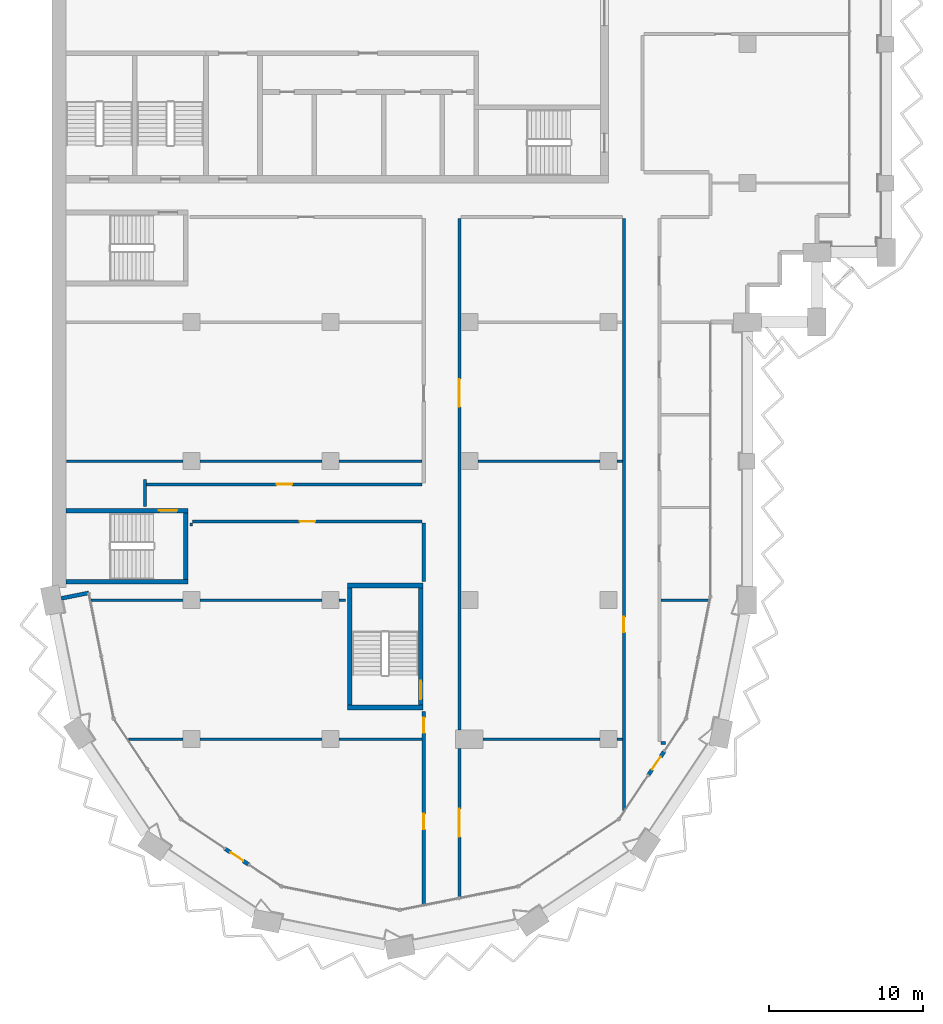
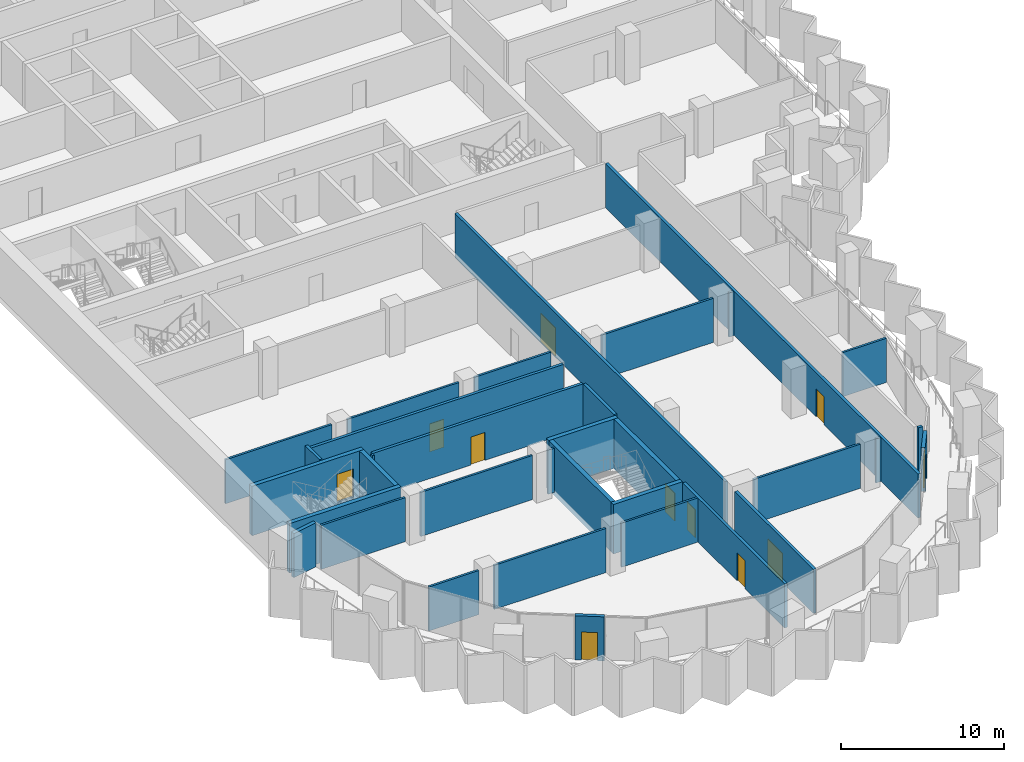
# One storey, part 7 of 17: 34 walls, 11 doors, 11 openings.
"""IFC4 building model written with IfcOpenShell, lengths in metres."""

from ifc_helpers import new_model, si_unit, direction, frame, frame_2d, origin, place, context, subcontext, project, spatial, rectangle, extrude, material, layer, layer_set, type_object, element, fill, save


model = new_model("IFC4")

# Units and contexts
model_context = context("Model", 3, precision=1e-05, world=origin(), true_north=direction((0.0, 1.0)))
body_context = subcontext(model_context, "Body", "Model", "MODEL_VIEW")
ifc_project = project(units=[si_unit("LENGTHUNIT", "METRE"), si_unit("AREAUNIT", "SQUARE_METRE"), si_unit("VOLUMEUNIT", "CUBIC_METRE"), si_unit("PLANEANGLEUNIT", "RADIAN"), si_unit("MASSUNIT", "GRAM", prefix="KILO")], contexts=[model_context])

# Site, building, storey
site_placement = place(None, origin())
site = spatial("IfcSite", under=ifc_project, at=site_placement, CompositionType="ELEMENT")
building_placement = place(site_placement, origin())
building = spatial("IfcBuilding", under=site, at=building_placement, Name="Hunhe Ridgeline Campus", CompositionType="ELEMENT")
storey_placement = place(building_placement, frame((0.0, 0.0, 197.60009765625)))
storey = spatial("IfcBuildingStorey", under=building, at=storey_placement, Name="L50", CompositionType="ELEMENT", Elevation=197.60009765625)

# Walls
ifc_material_1 = material(Name="Concrete C30", Category="concrete")
ifc_layer_1 = layer(ifc_material_1, 0.25)
ifc_layer_set_1 = layer_set([ifc_layer_1], Name="Corner return wall 250 Concrete C30")
wall_type_1 = type_object("IfcWallType", Name="Corner return wall 250 Concrete C30", PredefinedType="SOLIDWALL", material=ifc_layer_set_1)
wall_1_placement = place(storey_placement, frame((0.58837890625, 36.117919921875, 0.0), z_axis=(0.0, 0.0, 1.0), x_axis=(0.980840518545, 0.194812415363, 0.0)))
element("IfcWall", 1, at=wall_1_placement, inside=storey, type_object=wall_type_1, Name="Corner return wall 1", PredefinedType="SOLIDWALL", context=body_context, shape_type="SweptSolid", body=[
    extrude(rectangle(XDim=1.80078125, YDim=0.25, at=frame_2d((0.900390625, 0.0))), origin(), (0.0, 0.0, 1.0), 3.2998046875),
])
ifc_material_2 = material(Name="Gypsum board partition")
ifc_layer_2 = layer(ifc_material_2, 0.199951171875)
ifc_layer_set_2 = layer_set([ifc_layer_2], Name="Corridor partition 200 gypsum board on steel studs")
wall_type_2 = type_object("IfcWallType", Name="Corridor partition 200 gypsum board on steel studs", PredefinedType="PARTITIONING", material=ifc_layer_set_2)
wall_2_placement = place(storey_placement, frame((39.39990234375, 26.748046875, 0.0), z_axis=(0.0, 0.0, 1.0), x_axis=(1.0, 0.0, 0.0)))
element("IfcWall", 2, at=wall_2_placement, inside=storey, type_object=wall_type_2, Name="F-L50-wall-001", PredefinedType="PARTITIONING", context=body_context, shape_type="SweptSolid", body=[
    extrude(rectangle(XDim=0.30224609375, YDim=0.199951171875, at=frame_2d((0.151123046875, 0.0))), origin(), (0.0, 0.0, 1.0), 3.2998046875),
])

# Wall, opening, door
wall_3_placement = place(storey_placement, frame((23.949951171875, 41.10009765625, 0.0), z_axis=(0.0, 0.0, 1.0), x_axis=(-1.0, 0.0, 0.0)))
wall_3 = element("IfcWall", 3, at=wall_3_placement, inside=storey, type_object=wall_type_2, Name="F-L50-wall-011", PredefinedType="PARTITIONING", context=body_context, shape_type="SweptSolid", body=[
    extrude(rectangle(XDim=14.875, YDim=0.199951171875, at=frame_2d((7.4375, 0.0))), origin(), (0.0, 0.0, 1.0), 3.2998046875),
])
opening_1_placement = place(wall_3_placement, frame((6.9375, 0.0, 0.0)))
opening_1 = element("IfcOpeningElement", 4, at=opening_1_placement, cuts=wall_3, Name="Opening RD1-007", PredefinedType="OPENING", context=body_context, shape_type="SweptSolid", body=[
    extrude(rectangle(XDim=1.0, YDim=2.10009765625, at=frame_2d((0.5, 1.050048828125))), frame((0.0, 0.10009765625, 0.0), z_axis=(0.0, -1.0, 0.0), x_axis=(1.0, 0.0, 0.0)), (0.0, 0.0, 1.0), 0.199951171875),
])
ifc_material_3 = material(Name="Timber door leaf", Category="wood")
door_type_1 = type_object("IfcDoorType", Name="Single fire door 1000x2100 timber FD60", OperationType="NOTDEFINED", PredefinedType="DOOR", material=ifc_material_3)
door_1_placement = place(opening_1_placement, origin())
door_1 = element("IfcDoor", 5, at=door_1_placement, inside=storey, type_object=door_type_1, Name="F-L50-door-007", OperationType="SINGLE_SWING_LEFT", OverallHeight=2.10009765625, OverallWidth=1.0, PredefinedType="DOOR", context=body_context, shape_type="SweptSolid", body=[
    extrude(rectangle(XDim=1.0, YDim=2.10009765625, at=frame_2d((0.5, 1.050048828125))), frame((0.0, 0.02490234375, 0.0), z_axis=(0.0, -1.0, 0.0), x_axis=(1.0, 0.0, 0.0)), (0.0, 0.0, 1.0), 0.050048828125),
])
fill(opening_1, door_1)

wall_4_placement = place(storey_placement, frame((6.10009765625, 43.5, 0.0), z_axis=(0.0, 0.0, 1.0), x_axis=(1.0, 0.0, 0.0)))
wall_4 = element("IfcWall", 6, at=wall_4_placement, inside=storey, type_object=wall_type_2, Name="F-L50-wall-013", PredefinedType="PARTITIONING", context=body_context, shape_type="SweptSolid", body=[
    extrude(rectangle(XDim=17.849853515625, YDim=0.199951171875, at=frame_2d((8.9248046875, 0.0))), origin(), (0.0, 0.0, 1.0), 3.2998046875),
])
opening_2_placement = place(wall_4_placement, frame((8.425048828125, 0.0, 0.0)))
opening_2 = element("IfcOpeningElement", 7, at=opening_2_placement, cuts=wall_4, Name="Opening RD1-008", PredefinedType="OPENING", context=body_context, shape_type="SweptSolid", body=[
    extrude(rectangle(XDim=1.0, YDim=2.10009765625, at=frame_2d((0.5, 1.050048828125))), frame((0.0, 0.10009765625, 0.0), z_axis=(0.0, -1.0, 0.0), x_axis=(1.0, 0.0, 0.0)), (0.0, 0.0, 1.0), 0.199951171875),
])
door_2_placement = place(opening_2_placement, origin())
door_2 = element("IfcDoor", 8, at=door_2_placement, inside=storey, type_object=door_type_1, Name="F-L50-door-008", OperationType="SINGLE_SWING_LEFT", OverallHeight=2.10009765625, OverallWidth=1.0, PredefinedType="DOOR", context=body_context, shape_type="SweptSolid", body=[
    extrude(rectangle(XDim=1.0, YDim=2.10009765625, at=frame_2d((0.5, 1.050048828125))), frame((0.0, 0.02490234375, 0.0), z_axis=(0.0, -1.0, 0.0), x_axis=(1.0, 0.0, 0.0)), (0.0, 0.0, 1.0), 0.050048828125),
])
fill(opening_2, door_2)

# Wall
wall_5_placement = place(storey_placement, frame((6.0, 42.053955078125, 0.0), z_axis=(0.0, 0.0, 1.0), x_axis=(0.0, 1.0, 0.0)))
element("IfcWall", 9, at=wall_5_placement, inside=storey, type_object=wall_type_2, Name="F-L50-wall-036", PredefinedType="PARTITIONING", context=body_context, shape_type="SweptSolid", body=[
    extrude(rectangle(XDim=1.74609375, YDim=0.199951171875, at=frame_2d((0.873046875, 0.0))), origin(), (0.0, 0.0, 1.0), 3.2998046875),
])

# Wall, openings, doors
wall_6_placement = place(storey_placement, frame((24.050048828125, 16.3115234375, 0.0), z_axis=(0.0, 0.0, 1.0), x_axis=(0.0, 1.0, 0.0)))
wall_6 = element("IfcWall", 10, at=wall_6_placement, inside=storey, type_object=wall_type_2, Name="F-L50-wall-038", PredefinedType="PARTITIONING", context=body_context, shape_type="SweptSolid", body=[
    extrude(rectangle(XDim=12.484375, YDim=0.199951171875, at=frame_2d((6.2421875, 0.0))), origin(), (0.0, 0.0, 1.0), 3.2998046875),
])
opening_3_placement = place(wall_6_placement, frame((4.8505859375, 0.0, 0.0)))
opening_3 = element("IfcOpeningElement", 11, at=opening_3_placement, cuts=wall_6, Name="Opening RD1-002", PredefinedType="OPENING", context=body_context, shape_type="SweptSolid", body=[
    extrude(rectangle(XDim=1.0, YDim=2.10009765625, at=frame_2d((0.5, 1.050048828125))), frame((0.0, 0.10009765625, 0.0), z_axis=(0.0, -1.0, 0.0), x_axis=(1.0, 0.0, 0.0)), (0.0, 0.0, 1.0), 0.199951171875),
])
opening_4_placement = place(wall_6_placement, frame((11.0927734375, 0.0, 0.0)))
opening_4 = element("IfcOpeningElement", 12, at=opening_4_placement, cuts=wall_6, Name="Opening RD1-003", PredefinedType="OPENING", context=body_context, shape_type="SweptSolid", body=[
    extrude(rectangle(XDim=1.0, YDim=2.10009765625, at=frame_2d((0.5, 1.050048828125))), frame((0.0, 0.10009765625, 0.0), z_axis=(0.0, -1.0, 0.0), x_axis=(1.0, 0.0, 0.0)), (0.0, 0.0, 1.0), 0.199951171875),
])
door_3_placement = place(opening_3_placement, origin())
door_3 = element("IfcDoor", 13, at=door_3_placement, inside=storey, type_object=door_type_1, Name="F-L50-door-002", OperationType="SINGLE_SWING_RIGHT", OverallHeight=2.10009765625, OverallWidth=1.0, PredefinedType="DOOR", context=body_context, shape_type="SweptSolid", body=[
    extrude(rectangle(XDim=1.0, YDim=2.10009765625, at=frame_2d((0.5, 1.050048828125))), frame((0.0, 0.02490234375, 0.0), z_axis=(0.0, -1.0, 0.0), x_axis=(1.0, 0.0, 0.0)), (0.0, 0.0, 1.0), 0.050048828125),
])
fill(opening_3, door_3)
door_4_placement = place(opening_4_placement, origin())
door_4 = element("IfcDoor", 14, at=door_4_placement, inside=storey, type_object=door_type_1, Name="F-L50-door-003", OperationType="SINGLE_SWING_RIGHT", OverallHeight=2.10009765625, OverallWidth=1.0, PredefinedType="DOOR", context=body_context, shape_type="SweptSolid", body=[
    extrude(rectangle(XDim=1.0, YDim=2.10009765625, at=frame_2d((0.5, 1.050048828125))), frame((0.0, 0.02490234375, 0.0), z_axis=(0.0, -1.0, 0.0), x_axis=(1.0, 0.0, 0.0)), (0.0, 0.0, 1.0), 0.050048828125),
])
fill(opening_4, door_4)

# Wall
wall_7_placement = place(storey_placement, frame((24.050048828125, 37.2041015625, 0.0), z_axis=(0.0, 0.0, 1.0), x_axis=(0.0, 1.0, 0.0)))
element("IfcWall", 15, at=wall_7_placement, inside=storey, type_object=wall_type_2, Name="F-L50-wall-039", PredefinedType="PARTITIONING", context=body_context, shape_type="SweptSolid", body=[
    extrude(rectangle(XDim=3.7958984375, YDim=0.199951171875, at=frame_2d((1.89794921875, 0.0))), origin(), (0.0, 0.0, 1.0), 3.2998046875),
])

# Wall, opening, door
wall_8_placement = place(storey_placement, frame((26.35009765625, 26.39990234375, 0.0), z_axis=(0.0, 0.0, 1.0), x_axis=(0.0, -1.0, 0.0)))
wall_8 = element("IfcWall", 16, at=wall_8_placement, inside=storey, type_object=wall_type_2, Name="F-L50-wall-041", PredefinedType="PARTITIONING", context=body_context, shape_type="SweptSolid", body=[
    extrude(rectangle(XDim=9.631103515625, YDim=0.199951171875, at=frame_2d((4.8154296875, 0.0))), origin(), (0.0, 0.0, 1.0), 3.2998046875),
])
opening_5_placement = place(wall_8_placement, frame((3.91552734375, 0.0, 0.0)))
opening_5 = element("IfcOpeningElement", 17, at=opening_5_placement, cuts=wall_8, Name="Opening RD2-001", PredefinedType="OPENING", context=body_context, shape_type="SweptSolid", body=[
    extrude(rectangle(XDim=1.800048828125, YDim=2.10009765625, at=frame_2d((0.89990234375, 1.050048828125))), frame((0.0, 0.10009765625, 0.0), z_axis=(0.0, -1.0, 0.0), x_axis=(1.0, 0.0, 0.0)), (0.0, 0.0, 1.0), 0.199951171875),
])
door_type_2 = type_object("IfcDoorType", Name="Double fire door 1800x2100 timber FD60", OperationType="DOUBLE_DOOR_SINGLE_SWING", PredefinedType="DOOR", material=ifc_material_3)
door_5_placement = place(opening_5_placement, origin())
door_5 = element("IfcDoor", 18, at=door_5_placement, inside=storey, type_object=door_type_2, Name="F-L50-door-001", OperationType="DOUBLE_DOOR_SINGLE_SWING", OverallHeight=2.10009765625, OverallWidth=1.800048828125, PredefinedType="DOOR", context=body_context, shape_type="SweptSolid", body=[
    extrude(rectangle(XDim=1.800048828125, YDim=2.10009765625, at=frame_2d((0.89990234375, 1.050048828125))), frame((0.0, 0.02490234375, 0.0), z_axis=(0.0, -1.0, 0.0), x_axis=(1.0, 0.0, 0.0)), (0.0, 0.0, 1.0), 0.050048828125),
])
fill(opening_5, door_5)

wall_9_placement = place(storey_placement, frame((26.35009765625, 60.699951171875, 0.0), z_axis=(0.0, 0.0, 1.0), x_axis=(0.0, -1.0, 0.0)))
wall_9 = element("IfcWall", 19, at=wall_9_placement, inside=storey, type_object=wall_type_2, Name="F-L50-wall-042", PredefinedType="PARTITIONING", context=body_context, shape_type="SweptSolid", body=[
    extrude(rectangle(XDim=33.099853515625, YDim=0.199951171875, at=frame_2d((16.5498046875, 0.0))), origin(), (0.0, 0.0, 1.0), 3.2998046875),
])
opening_6_placement = place(wall_9_placement, frame((10.384033203125, 0.0, 0.0)))
opening_6 = element("IfcOpeningElement", 20, at=opening_6_placement, cuts=wall_9, Name="Opening RD2-011", PredefinedType="OPENING", context=body_context, shape_type="SweptSolid", body=[
    extrude(rectangle(XDim=1.800048828125, YDim=2.10009765625, at=frame_2d((0.89990234375, 1.050048828125))), frame((0.0, 0.10009765625, 0.0), z_axis=(0.0, -1.0, 0.0), x_axis=(1.0, 0.0, 0.0)), (0.0, 0.0, 1.0), 0.199951171875),
])
door_6_placement = place(opening_6_placement, origin())
door_6 = element("IfcDoor", 21, at=door_6_placement, inside=storey, type_object=door_type_2, Name="F-L50-door-011", OperationType="DOUBLE_DOOR_SINGLE_SWING", OverallHeight=2.10009765625, OverallWidth=1.800048828125, PredefinedType="DOOR", context=body_context, shape_type="SweptSolid", body=[
    extrude(rectangle(XDim=1.800048828125, YDim=2.10009765625, at=frame_2d((0.89990234375, 1.050048828125))), frame((0.0, 0.02490234375, 0.0), z_axis=(0.0, -1.0, 0.0), x_axis=(1.0, 0.0, 0.0)), (0.0, 0.0, 1.0), 0.050048828125),
])
fill(opening_6, door_6)

wall_10_placement = place(storey_placement, frame((37.0, 22.39892578125, 0.0), z_axis=(0.0, 0.0, 1.0), x_axis=(0.0, 1.0, 0.0)))
wall_10 = element("IfcWall", 22, at=wall_10_placement, inside=storey, type_object=wall_type_2, Name="F-L50-wall-043", PredefinedType="PARTITIONING", context=body_context, shape_type="SweptSolid", body=[
    extrude(rectangle(XDim=38.301025390625, YDim=0.199951171875, at=frame_2d((19.150390625, 0.0))), origin(), (0.0, 0.0, 1.0), 3.2998046875),
])
opening_7_placement = place(wall_10_placement, frame((11.51806640625, 0.0, 0.0)))
opening_7 = element("IfcOpeningElement", 23, at=opening_7_placement, cuts=wall_10, Name="Opening RD1-005", PredefinedType="OPENING", context=body_context, shape_type="SweptSolid", body=[
    extrude(rectangle(XDim=1.0, YDim=2.10009765625, at=frame_2d((0.5, 1.050048828125))), frame((0.0, 0.10009765625, 0.0), z_axis=(0.0, -1.0, 0.0), x_axis=(1.0, 0.0, 0.0)), (0.0, 0.0, 1.0), 0.199951171875),
])
door_7_placement = place(opening_7_placement, origin())
door_7 = element("IfcDoor", 24, at=door_7_placement, inside=storey, type_object=door_type_1, Name="F-L50-door-005", OperationType="SINGLE_SWING_LEFT", OverallHeight=2.10009765625, OverallWidth=1.0, PredefinedType="DOOR", context=body_context, shape_type="SweptSolid", body=[
    extrude(rectangle(XDim=1.0, YDim=2.10009765625, at=frame_2d((0.5, 1.050048828125))), frame((0.0, 0.02490234375, 0.0), z_axis=(0.0, -1.0, 0.0), x_axis=(1.0, 0.0, 0.0)), (0.0, 0.0, 1.0), 0.050048828125),
])
fill(opening_7, door_7)

ifc_layer_3 = layer(ifc_material_1, 0.25)
ifc_layer_set_3 = layer_set([ifc_layer_3], Name="Loggia door pier wall 250 Concrete C30")
wall_type_3 = type_object("IfcWallType", Name="Loggia door pier wall 250 Concrete C30", PredefinedType="SOLIDWALL", material=ifc_layer_set_3)
wall_11_placement = place(storey_placement, frame((11.19970703125, 19.897705078125, 0.0), z_axis=(0.0, 0.0, 1.0), x_axis=(0.83146554274, -0.555576323502, 0.0)))
wall_11 = element("IfcWall", 25, at=wall_11_placement, inside=storey, type_object=wall_type_3, Name="Loggia door pier 1", PredefinedType="SOLIDWALL", context=body_context, shape_type="SweptSolid", body=[
    extrude(rectangle(XDim=1.800048828125, YDim=0.25, at=frame_2d((0.89990234375, 0.0))), origin(), (0.0, 0.0, 1.0), 3.2998046875),
])
opening_8_placement = place(wall_11_placement, frame((0.39990234375, 0.0, 0.0)))
opening_8 = element("IfcOpeningElement", 26, at=opening_8_placement, cuts=wall_11, Name="Opening BD402", PredefinedType="OPENING", context=body_context, shape_type="SweptSolid", body=[
    extrude(rectangle(XDim=1.0, YDim=2.10009765625, at=frame_2d((0.5, 1.050048828125))), frame((0.0, 0.125, 0.0), z_axis=(0.0, -1.0, 0.0), x_axis=(1.0, 0.0, 0.0)), (0.0, 0.0, 1.0), 0.25),
])
ifc_material_4 = material(Name="Aluminium 6063", Category="aluminium")
door_type_3 = type_object("IfcDoorType", Name="Loggia glazed door 1000x2100", OperationType="NOTDEFINED", PredefinedType="DOOR", material=ifc_material_4)
door_8_placement = place(opening_8_placement, frame((1.0, 0.0, 0.0), z_axis=(0.0, 0.0, 1.0), x_axis=(-1.0, 0.0, 0.0)))
door_8 = element("IfcDoor", 27, at=door_8_placement, inside=storey, type_object=door_type_3, Name="Loggia door BD402", OperationType="SINGLE_SWING_LEFT", OverallHeight=2.10009765625, OverallWidth=1.0, PredefinedType="DOOR", context=body_context, shape_type="SweptSolid", body=[
    extrude(rectangle(XDim=1.0, YDim=2.10009765625, at=frame_2d((0.5, 1.050048828125))), frame((0.0, 0.02490234375, 0.0), z_axis=(0.0, -1.0, 0.0), x_axis=(1.0, 0.0, 0.0)), (0.0, 0.0, 1.0), 0.050048828125),
])
fill(opening_8, door_8)

wall_12_placement = place(storey_placement, frame((38.602294921875, 24.69970703125, 0.0), z_axis=(0.0, 0.0, 1.0), x_axis=(0.555576323502, 0.83146554274, 0.0)))
wall_12 = element("IfcWall", 28, at=wall_12_placement, inside=storey, type_object=wall_type_3, Name="Loggia door pier 2", PredefinedType="SOLIDWALL", context=body_context, shape_type="SweptSolid", body=[
    extrude(rectangle(XDim=1.800048828125, YDim=0.25, at=frame_2d((0.89990234375, 0.0))), origin(), (0.0, 0.0, 1.0), 3.2998046875),
])
opening_9_placement = place(wall_12_placement, frame((0.39990234375, 0.0, 0.0)))
opening_9 = element("IfcOpeningElement", 29, at=opening_9_placement, cuts=wall_12, Name="Opening BD404", PredefinedType="OPENING", context=body_context, shape_type="SweptSolid", body=[
    extrude(rectangle(XDim=1.0, YDim=2.10009765625, at=frame_2d((0.5, 1.050048828125))), frame((0.0, 0.125, 0.0), z_axis=(0.0, -1.0, 0.0), x_axis=(1.0, 0.0, 0.0)), (0.0, 0.0, 1.0), 0.25),
])
door_9_placement = place(opening_9_placement, frame((1.0, 0.0, 0.0), z_axis=(0.0, 0.0, 1.0), x_axis=(-1.0, 0.0, 0.0)))
door_9 = element("IfcDoor", 30, at=door_9_placement, inside=storey, type_object=door_type_3, Name="Loggia door BD404", OperationType="SINGLE_SWING_LEFT", OverallHeight=2.10009765625, OverallWidth=1.0, PredefinedType="DOOR", context=body_context, shape_type="SweptSolid", body=[
    extrude(rectangle(XDim=1.0, YDim=2.10009765625, at=frame_2d((0.5, 1.050048828125))), frame((0.0, 0.02490234375, 0.0), z_axis=(0.0, -1.0, 0.0), x_axis=(1.0, 0.0, 0.0)), (0.0, 0.0, 1.0), 0.050048828125),
])
fill(opening_9, door_9)

# Walls
ifc_layer_4 = layer(ifc_material_2, 0.14990234375)
ifc_layer_set_4 = layer_set([ifc_layer_4], Name="Room partition 150 gypsum board on steel studs")
wall_type_4 = type_object("IfcWallType", Name="Room partition 150 gypsum board on steel studs", PredefinedType="PARTITIONING", material=ifc_layer_set_4)
wall_13_placement = place(storey_placement, frame((4.925537109375, 27.0, 0.0), z_axis=(0.0, 0.0, 1.0), x_axis=(1.0, 0.0, 0.0)))
element("IfcWall", 31, at=wall_13_placement, inside=storey, type_object=wall_type_4, Name="F-L50-wall-002", PredefinedType="PARTITIONING", context=body_context, shape_type="SweptSolid", body=[
    extrude(rectangle(XDim=3.5244140625, YDim=0.14990234375, at=frame_2d((1.76220703125, 0.0))), origin(), (0.0, 0.0, 1.0), 3.2998046875),
])
wall_14_placement = place(storey_placement, frame((9.550048828125, 27.0, 0.0), z_axis=(0.0, 0.0, 1.0), x_axis=(1.0, 0.0, 0.0)))
element("IfcWall", 32, at=wall_14_placement, inside=storey, type_object=wall_type_4, Name="F-L50-wall-003", PredefinedType="PARTITIONING", context=body_context, shape_type="SweptSolid", body=[
    extrude(rectangle(XDim=7.89990234375, YDim=0.14990234375, at=frame_2d((3.949951171875, 0.0))), origin(), (0.0, 0.0, 1.0), 3.2998046875),
])
wall_15_placement = place(storey_placement, frame((18.550048828125, 27.0, 0.0), z_axis=(0.0, 0.0, 1.0), x_axis=(1.0, 0.0, 0.0)))
element("IfcWall", 33, at=wall_15_placement, inside=storey, type_object=wall_type_4, Name="F-L50-wall-004", PredefinedType="PARTITIONING", context=body_context, shape_type="SweptSolid", body=[
    extrude(rectangle(XDim=5.39990234375, YDim=0.14990234375, at=frame_2d((2.699951171875, 0.0))), origin(), (0.0, 0.0, 1.0), 3.2998046875),
])
wall_16_placement = place(storey_placement, frame((27.89990234375, 27.0, 0.0), z_axis=(0.0, 0.0, 1.0), x_axis=(1.0, 0.0, 0.0)))
element("IfcWall", 34, at=wall_16_placement, inside=storey, type_object=wall_type_4, Name="F-L50-wall-005", PredefinedType="PARTITIONING", context=body_context, shape_type="SweptSolid", body=[
    extrude(rectangle(XDim=7.550048828125, YDim=0.14990234375, at=frame_2d((3.77490234375, 0.0))), origin(), (0.0, 0.0, 1.0), 3.2998046875),
])
wall_17_placement = place(storey_placement, frame((36.550048828125, 27.0, 0.0), z_axis=(0.0, 0.0, 1.0), x_axis=(1.0, 0.0, 0.0)))
element("IfcWall", 35, at=wall_17_placement, inside=storey, type_object=wall_type_4, Name="F-L50-wall-006", PredefinedType="PARTITIONING", context=body_context, shape_type="SweptSolid", body=[
    extrude(rectangle(XDim=0.349853515625, YDim=0.14990234375, at=frame_2d((0.1748046875, 0.0))), origin(), (0.0, 0.0, 1.0), 3.2998046875),
])
wall_18_placement = place(storey_placement, frame((2.503173828125, 36.0, 0.0), z_axis=(0.0, 0.0, 1.0), x_axis=(1.0, 0.0, 0.0)))
element("IfcWall", 36, at=wall_18_placement, inside=storey, type_object=wall_type_4, Name="F-L50-wall-007", PredefinedType="PARTITIONING", context=body_context, shape_type="SweptSolid", body=[
    extrude(rectangle(XDim=5.94677734375, YDim=0.14990234375, at=frame_2d((2.973388671875, 0.0))), origin(), (0.0, 0.0, 1.0), 3.2998046875),
])
wall_19_placement = place(storey_placement, frame((9.550048828125, 36.0, 0.0), z_axis=(0.0, 0.0, 1.0), x_axis=(1.0, 0.0, 0.0)))
element("IfcWall", 37, at=wall_19_placement, inside=storey, type_object=wall_type_4, Name="F-L50-wall-008", PredefinedType="PARTITIONING", context=body_context, shape_type="SweptSolid", body=[
    extrude(rectangle(XDim=7.89990234375, YDim=0.14990234375, at=frame_2d((3.949951171875, 0.0))), origin(), (0.0, 0.0, 1.0), 3.2998046875),
])
wall_20_placement = place(storey_placement, frame((18.550048828125, 36.0, 0.0), z_axis=(0.0, 0.0, 1.0), x_axis=(1.0, 0.0, 0.0)))
element("IfcWall", 38, at=wall_20_placement, inside=storey, type_object=wall_type_4, Name="F-L50-wall-009", PredefinedType="PARTITIONING", context=body_context, shape_type="SweptSolid", body=[
    extrude(rectangle(XDim=0.446044921875, YDim=0.14990234375, at=frame_2d((0.22314453125, 0.0))), origin(), (0.0, 0.0, 1.0), 3.2998046875),
])
wall_21_placement = place(storey_placement, frame((39.39990234375, 36.0, 0.0), z_axis=(0.0, 0.0, 1.0), x_axis=(1.0, 0.0, 0.0)))
element("IfcWall", 39, at=wall_21_placement, inside=storey, type_object=wall_type_4, Name="F-L50-wall-010", PredefinedType="PARTITIONING", context=body_context, shape_type="SweptSolid", body=[
    extrude(rectangle(XDim=3.096923828125, YDim=0.14990234375, at=frame_2d((1.54833984375, 0.0))), origin(), (0.0, 0.0, 1.0), 3.2998046875),
])
wall_22_placement = place(storey_placement, frame((0.919921875, 45.0, 0.0), z_axis=(0.0, 0.0, 1.0), x_axis=(1.0, 0.0, 0.0)))
element("IfcWall", 40, at=wall_22_placement, inside=storey, type_object=wall_type_4, Name="F-L50-wall-014", PredefinedType="PARTITIONING", context=body_context, shape_type="SweptSolid", body=[
    extrude(rectangle(XDim=7.530029296875, YDim=0.14990234375, at=frame_2d((3.76513671875, 0.0))), origin(), (0.0, 0.0, 1.0), 3.2998046875),
])
wall_23_placement = place(storey_placement, frame((9.550048828125, 45.0, 0.0), z_axis=(0.0, 0.0, 1.0), x_axis=(1.0, 0.0, 0.0)))
element("IfcWall", 41, at=wall_23_placement, inside=storey, type_object=wall_type_4, Name="F-L50-wall-015", PredefinedType="PARTITIONING", context=body_context, shape_type="SweptSolid", body=[
    extrude(rectangle(XDim=7.89990234375, YDim=0.14990234375, at=frame_2d((3.949951171875, 0.0))), origin(), (0.0, 0.0, 1.0), 3.2998046875),
])
wall_24_placement = place(storey_placement, frame((18.550048828125, 45.0, 0.0), z_axis=(0.0, 0.0, 1.0), x_axis=(1.0, 0.0, 0.0)))
element("IfcWall", 42, at=wall_24_placement, inside=storey, type_object=wall_type_4, Name="F-L50-wall-016", PredefinedType="PARTITIONING", context=body_context, shape_type="SweptSolid", body=[
    extrude(rectangle(XDim=5.39990234375, YDim=0.14990234375, at=frame_2d((2.699951171875, 0.0))), origin(), (0.0, 0.0, 1.0), 3.2998046875),
])
wall_25_placement = place(storey_placement, frame((27.550048828125, 45.0, 0.0), z_axis=(0.0, 0.0, 1.0), x_axis=(1.0, 0.0, 0.0)))
element("IfcWall", 43, at=wall_25_placement, inside=storey, type_object=wall_type_4, Name="F-L50-wall-017", PredefinedType="PARTITIONING", context=body_context, shape_type="SweptSolid", body=[
    extrude(rectangle(XDim=7.89990234375, YDim=0.14990234375, at=frame_2d((3.949951171875, 0.0))), origin(), (0.0, 0.0, 1.0), 3.2998046875),
])
wall_26_placement = place(storey_placement, frame((36.550048828125, 45.0, 0.0), z_axis=(0.0, 0.0, 1.0), x_axis=(1.0, 0.0, 0.0)))
element("IfcWall", 44, at=wall_26_placement, inside=storey, type_object=wall_type_4, Name="F-L50-wall-018", PredefinedType="PARTITIONING", context=body_context, shape_type="SweptSolid", body=[
    extrude(rectangle(XDim=0.349853515625, YDim=0.14990234375, at=frame_2d((0.1748046875, 0.0))), origin(), (0.0, 0.0, 1.0), 3.2998046875),
])
wall_27_placement = place(storey_placement, frame((9.0, 41.0, 0.0), z_axis=(0.0, 0.0, 1.0), x_axis=(0.0, -1.0, 0.0)))
element("IfcWall", 45, at=wall_27_placement, inside=storey, type_object=wall_type_4, Name="F-L50-wall-037", PredefinedType="PARTITIONING", context=body_context, shape_type="SweptSolid", body=[
    extrude(rectangle(XDim=0.199951171875, YDim=0.14990234375, at=frame_2d((0.10009765625, 0.0))), origin(), (0.0, 0.0, 1.0), 3.2998046875),
])
ifc_material_5 = material(Name="Concrete C60", Category="concrete")
ifc_layer_5 = layer(ifc_material_5, 0.300048828125)
ifc_layer_set_5 = layer_set([ifc_layer_5], Name="Stair wall 300 reinforced concrete C60")
wall_type_5 = type_object("IfcWallType", Name="Stair wall 300 reinforced concrete C60", PredefinedType="SOLIDWALL", material=ifc_layer_set_5)
for number, where, z_axis, x_axis, name in (
    (46, (19.10009765625, 29.050048828125, -0.400146484375), (0.0, 0.0, 1.0), (1.0, 0.0, 0.0), "L50 core wall 1"),
    (47, (19.10009765625, 36.949951171875, -0.400146484375), (0.0, 0.0, 1.0), (1.0, 0.0, 0.0), "L50 core wall 2"),
):
    element("IfcWall", number, at=place(storey_placement, frame(where, z_axis=z_axis, x_axis=x_axis)), inside=storey, type_object=wall_type_5, Name=name, PredefinedType="SOLIDWALL", context=body_context, shape_type="SweptSolid", body=[
        extrude(rectangle(XDim=4.89990234375, YDim=0.300048828125, at=frame_2d((2.449951171875, 0.0))), origin(), (0.0, 0.0, 1.0), 3.699951171875),
    ])
wall_28_placement = place(storey_placement, frame((0.89990234375, 37.199951171875, -0.400146484375), z_axis=(0.0, 0.0, 1.0), x_axis=(1.0, 0.0, 0.0)))
element("IfcWall", 48, at=wall_28_placement, inside=storey, type_object=wall_type_5, Name="L50 core wall 3", PredefinedType="SOLIDWALL", context=body_context, shape_type="SweptSolid", body=[
    extrude(rectangle(XDim=7.900146484375, YDim=0.300048828125, at=frame_2d((3.9501953125, 0.0))), origin(), (0.0, 0.0, 1.0), 3.699951171875),
])

# Wall, opening, door
wall_29_placement = place(storey_placement, frame((0.89990234375, 41.800048828125, -0.400146484375), z_axis=(0.0, 0.0, 1.0), x_axis=(1.0, 0.0, 0.0)))
wall_29 = element("IfcWall", 49, at=wall_29_placement, inside=storey, type_object=wall_type_5, Name="L50 core wall 4", PredefinedType="SOLIDWALL", context=body_context, shape_type="SweptSolid", body=[
    extrude(rectangle(XDim=7.900146484375, YDim=0.300048828125, at=frame_2d((3.9501953125, 0.0))), origin(), (0.0, 0.0, 1.0), 3.699951171875),
])
opening_10_placement = place(wall_29_placement, frame((6.0, 0.0, 0.39990234375)))
opening_10 = element("IfcOpeningElement", 50, at=opening_10_placement, cuts=wall_29, Name="Opening CD21", PredefinedType="OPENING", context=body_context, shape_type="SweptSolid", body=[
    extrude(rectangle(XDim=1.199951171875, YDim=2.10009765625, at=frame_2d((0.60009765625, 1.050048828125))), frame((0.0, 0.14990234375, 0.0), z_axis=(0.0, -1.0, 0.0), x_axis=(1.0, 0.0, 0.0)), (0.0, 0.0, 1.0), 0.300048828125),
])
ifc_material_6 = material(Name="Hollow metal fire door leaf")
door_type_4 = type_object("IfcDoorType", Name="Stair door 1200x2100 FD60", OperationType="SINGLE_SWING_LEFT", PredefinedType="DOOR", material=ifc_material_6)
door_10_placement = place(opening_10_placement, origin())
door_10 = element("IfcDoor", 51, at=door_10_placement, inside=storey, type_object=door_type_4, Name="L50 door W1", OperationType="SINGLE_SWING_LEFT", OverallHeight=2.10009765625, OverallWidth=1.199951171875, PredefinedType="DOOR", context=body_context, shape_type="SweptSolid", body=[
    extrude(rectangle(XDim=1.199951171875, YDim=2.10009765625, at=frame_2d((0.60009765625, 1.050048828125))), frame((0.0, 0.02490234375, 0.0), z_axis=(0.0, -1.0, 0.0), x_axis=(1.0, 0.0, 0.0)), (0.0, 0.0, 1.0), 0.050048828125),
])
fill(opening_10, door_10)

# Walls
wall_30_placement = place(storey_placement, frame((8.64990234375, 37.35009765625, -0.400146484375), z_axis=(0.0, 0.0, 1.0), x_axis=(0.0, 1.0, 0.0)))
element("IfcWall", 52, at=wall_30_placement, inside=storey, type_object=wall_type_5, Name="L50 core wall 29", PredefinedType="SOLIDWALL", context=body_context, shape_type="SweptSolid", body=[
    extrude(rectangle(XDim=4.2998046875, YDim=0.300048828125, at=frame_2d((2.14990234375, 0.0))), origin(), (0.0, 0.0, 1.0), 3.699951171875),
])
wall_31_placement = place(storey_placement, frame((19.25, 29.199951171875, -0.400146484375), z_axis=(0.0, 0.0, 1.0), x_axis=(0.0, 1.0, 0.0)))
element("IfcWall", 53, at=wall_31_placement, inside=storey, type_object=wall_type_5, Name="L50 core wall 40", PredefinedType="SOLIDWALL", context=body_context, shape_type="SweptSolid", body=[
    extrude(rectangle(XDim=7.60009765625, YDim=0.300048828125, at=frame_2d((3.800048828125, 0.0))), origin(), (0.0, 0.0, 1.0), 3.699951171875),
])

# Wall, opening, door
wall_32_placement = place(storey_placement, frame((23.85009765625, 29.199951171875, -0.400146484375), z_axis=(0.0, 0.0, 1.0), x_axis=(0.0, 1.0, 0.0)))
wall_32 = element("IfcWall", 54, at=wall_32_placement, inside=storey, type_object=wall_type_5, Name="L50 core wall 45", PredefinedType="SOLIDWALL", context=body_context, shape_type="SweptSolid", body=[
    extrude(rectangle(XDim=7.60009765625, YDim=0.300048828125, at=frame_2d((3.800048828125, 0.0))), origin(), (0.0, 0.0, 1.0), 3.699951171875),
])
opening_11_placement = place(wall_32_placement, frame((0.375, 0.0, 0.39990234375)))
opening_11 = element("IfcOpeningElement", 55, at=opening_11_placement, cuts=wall_32, Name="Opening CD23", PredefinedType="OPENING", context=body_context, shape_type="SweptSolid", body=[
    extrude(rectangle(XDim=1.199951171875, YDim=2.10009765625, at=frame_2d((0.60009765625, 1.050048828125))), frame((0.0, 0.14990234375, 0.0), z_axis=(0.0, -1.0, 0.0), x_axis=(1.0, 0.0, 0.0)), (0.0, 0.0, 1.0), 0.300048828125),
])
door_11_placement = place(opening_11_placement, frame((1.199951171875, 0.0, 0.0), z_axis=(0.0, 0.0, 1.0), x_axis=(-1.0, 0.0, 0.0)))
door_11 = element("IfcDoor", 56, at=door_11_placement, inside=storey, type_object=door_type_4, Name="L50 door W3", OperationType="SINGLE_SWING_RIGHT", OverallHeight=2.10009765625, OverallWidth=1.199951171875, PredefinedType="DOOR", context=body_context, shape_type="SweptSolid", body=[
    extrude(rectangle(XDim=1.199951171875, YDim=2.10009765625, at=frame_2d((0.60009765625, 1.050048828125))), frame((0.0, 0.02490234375, 0.0), z_axis=(0.0, -1.0, 0.0), x_axis=(1.0, 0.0, 0.0)), (0.0, 0.0, 1.0), 0.050048828125),
])
fill(opening_11, door_11)

save(model, "model.ifc")
